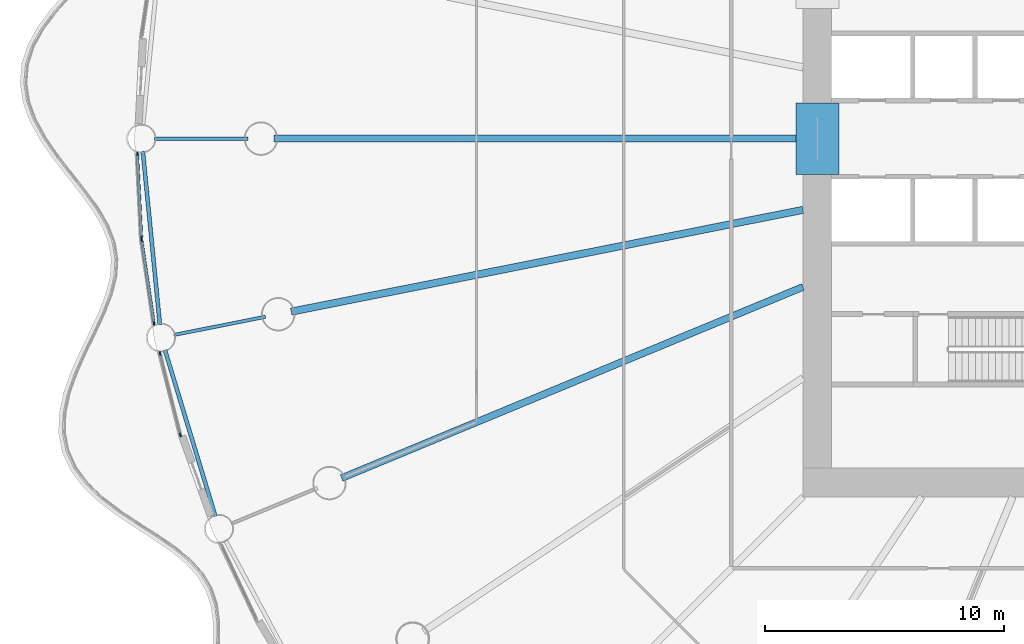
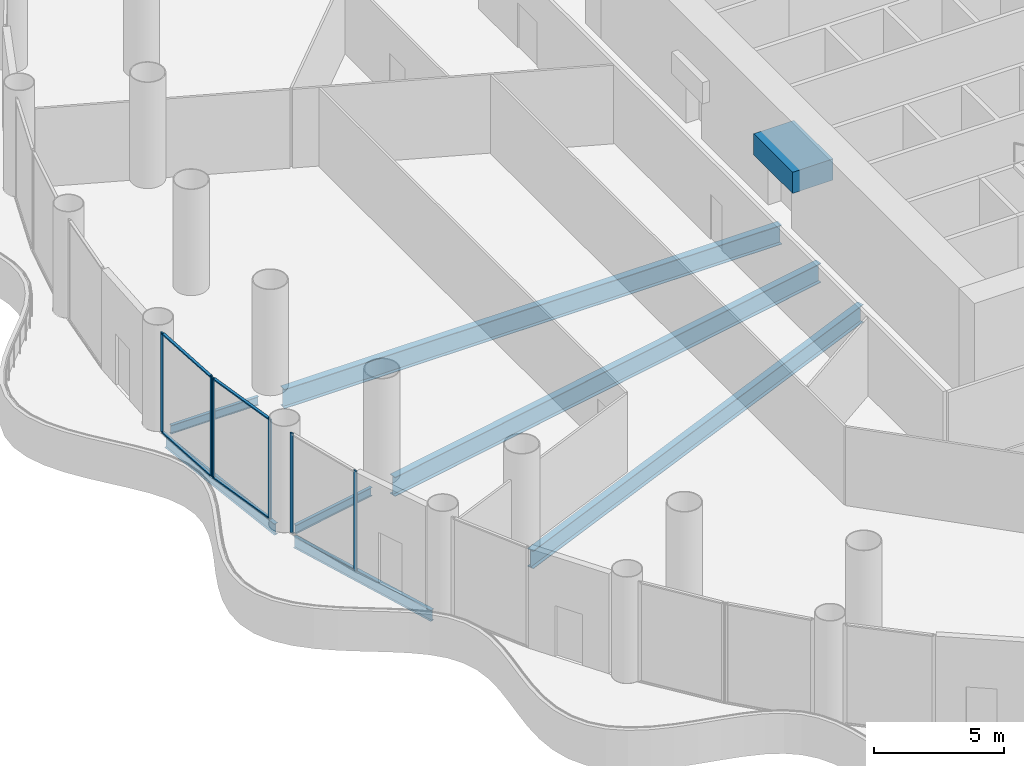
# One storey, part 7 of 35: 10 members, 8 beams, 3 elements without a shape of their own.
"""IFC4 building model written with IfcOpenShell, lengths in metres."""

from ifc_helpers import new_model, si_unit, direction, frame, origin, origin_2d, place, context, subcontext, project, spatial, rectangle, i_section, extrude, material, material_profile, profile_set, type_object, element, aggregate, save


model = new_model("IFC4")

# Units and contexts
model_context = context("Model", 3, precision=1e-05, world=origin(), true_north=direction((0.0, 1.0)))
body_context = subcontext(model_context, "Body", "Model", "MODEL_VIEW")
ifc_project = project(units=[si_unit("LENGTHUNIT", "METRE"), si_unit("AREAUNIT", "SQUARE_METRE"), si_unit("VOLUMEUNIT", "CUBIC_METRE"), si_unit("PLANEANGLEUNIT", "RADIAN"), si_unit("MASSUNIT", "GRAM", prefix="KILO")], contexts=[model_context])

# Site, building, storey
site_placement = place(None, origin())
site = spatial("IfcSite", under=ifc_project, at=site_placement, CompositionType="ELEMENT")
building_placement = place(site_placement, origin())
building = spatial("IfcBuilding", under=site, at=building_placement, Name="Corvane Civic Tower", CompositionType="ELEMENT")
storey_placement = place(building_placement, frame((0.0, 0.0, 27.0)))
storey = spatial("IfcBuildingStorey", under=building, at=storey_placement, Name="L05", CompositionType="ELEMENT", Elevation=27.0)

# Beams
ifc_material_1 = material(Name="Concrete C80/95", Category="concrete")
ifc_material_profile_1 = material_profile(ifc_material_1, rectangle(XDim=1.800048828125, YDim=1.0, at=origin_2d()), Name="COUPLING BEAM 1800X1000")
ifc_profile_set_1 = profile_set([ifc_material_profile_1], Name="Concrete C80/95")
beam_type_1 = type_object("IfcBeamType", Name="COUPLING BEAM COUPLING BEAM 1800X1000", PredefinedType="BEAM", material=ifc_profile_set_1)
beam_1_placement = place(storey_placement, frame((-14.39990234375, -1.5, 2.60009765625), z_axis=(0.0, 1.0, 0.0), x_axis=(-1.0, 0.0, 0.0)))
element("IfcBeam", 1, at=beam_1_placement, inside=storey, type_object=beam_type_1, Name="BM-L05-cpl-CW-LW", PredefinedType="BEAM", context=body_context, shape_type="SweptSolid", body=[
    extrude(rectangle(XDim=1.800048828125, YDim=1.0, at=origin_2d()), origin(), (0.0, 0.0, 1.0), 3.0),
])
ifc_material_2 = material(Name="Steel ASTM A992 Gr 50", Category="steel")
ifc_material_profile_2 = material_profile(ifc_material_2, i_section(OverallWidth=0.165771484375, OverallDepth=0.5283203125, WebThickness=0.009765625, FlangeThickness=0.013671875, at=origin_2d()), Name="W21X50")
ifc_profile_set_2 = profile_set([ifc_material_profile_2], Name="Steel ASTM A992 Gr 50")
beam_type_2 = type_object("IfcBeamType", Name="EDGE BEAM W21X50", PredefinedType="BEAM", material=ifc_profile_set_2)
for number, where, z_axis, x_axis, name in (
    (2, (-39.609375, -15.814208984375, -0.564208984375), (-0.290291633127, 0.956938225664, 0.0), (-0.956938225664, -0.290291633127, 0.0), "BM-L05-E23"),
    (3, (-41.93359375, -7.782958984375, -0.564208984375), (-0.097984225478, 0.995187967953, 0.0), (-0.995187967953, -0.097984225478, 0.0), "BM-L05-E24"),
):
    element("IfcBeam", number, at=place(storey_placement, frame(where, z_axis=z_axis, x_axis=x_axis)), inside=storey, type_object=beam_type_2, Name=name, PredefinedType="BEAM", context=body_context, shape_type="SweptSolid", body=[
        extrude(i_section(OverallWidth=0.165771484375, OverallDepth=0.5283203125, WebThickness=0.009765625, FlangeThickness=0.013671875, at=origin_2d()), origin(), (0.0, 0.0, 1.0), 7.2705078125),
    ])
ifc_material_3 = material(Name="Steel ASTM A992 Gr 50", Category="steel")
ifc_material_profile_3 = material_profile(ifc_material_3, i_section(OverallWidth=0.140380859375, OverallDepth=0.40380859375, WebThickness=0.007080078125, FlangeThickness=0.01123046875, at=origin_2d()), Name="W16X31")
ifc_profile_set_3 = profile_set([ifc_material_profile_3], Name="Steel ASTM A992 Gr 50")
beam_type_3 = type_object("IfcBeamType", Name="FLOOR GIRDER W16X31", PredefinedType="BEAM", material=ifc_profile_set_3)
for number, where, z_axis, x_axis, name in (
    (4, (-37.51513671875, -7.462158203125, -0.501953125), (-0.980777614264, -0.195128858343, 0.0), (0.195128858343, -0.980777614264, 0.0), "BM-L05-G24b"),
    (5, (-38.25, 0.0, -0.501953125), (-1.0, 0.0, 0.0), (0.0, -1.0, 0.0), "BM-L05-G25b"),
):
    element("IfcBeam", number, at=place(storey_placement, frame(where, z_axis=z_axis, x_axis=x_axis)), inside=storey, type_object=beam_type_3, Name=name, PredefinedType="BEAM", context=body_context, shape_type="SweptSolid", body=[
        extrude(i_section(OverallWidth=0.140380859375, OverallDepth=0.40380859375, WebThickness=0.007080078125, FlangeThickness=0.01123046875, at=origin_2d()), origin(), (0.0, 0.0, 1.0), 3.89990234375),
    ])
ifc_material_4 = material(Name="Steel ASTM A992 Gr 50", Category="steel")
ifc_material_profile_4 = material_profile(ifc_material_4, i_section(OverallWidth=0.2919921875, OverallDepth=0.845703125, WebThickness=0.015380859375, FlangeThickness=0.0244140625, at=origin_2d()), Name="W33X141")
ifc_profile_set_4 = profile_set([ifc_material_profile_4], Name="Steel ASTM A992 Gr 50")
beam_type_4 = type_object("IfcBeamType", Name="FLOOR GIRDER W33X141", PredefinedType="BEAM", material=ifc_profile_set_4)
beam_2_placement = place(storey_placement, frame((-15.0, -6.213134765625, -0.722900390625), z_axis=(-0.923875834355, -0.382692360381, 0.0), x_axis=(0.382692360381, -0.923875834355, 0.0)))
element("IfcBeam", 6, at=beam_2_placement, inside=storey, type_object=beam_type_4, Name="BM-L05-G23", PredefinedType="BEAM", context=body_context, shape_type="SweptSolid", body=[
    extrude(i_section(OverallWidth=0.2919921875, OverallDepth=0.845703125, WebThickness=0.015380859375, FlangeThickness=0.0244140625, at=origin_2d()), origin(), (0.0, 0.0, 1.0), 20.9140625),
])
ifc_material_5 = material(Name="Steel ASTM A992 Gr 50", Category="steel")
ifc_material_profile_5 = material_profile(ifc_material_5, i_section(OverallWidth=0.3046875, OverallDepth=0.911865234375, WebThickness=0.015869140625, FlangeThickness=0.02392578125, at=origin_2d()), Name="W36X150")
ifc_profile_set_5 = profile_set([ifc_material_profile_5], Name="Steel ASTM A992 Gr 50")
beam_type_5 = type_object("IfcBeamType", Name="FLOOR GIRDER W36X150", PredefinedType="BEAM", material=ifc_profile_set_5)
beam_3_placement = place(storey_placement, frame((-15.0, -2.983642578125, -0.755859375), z_axis=(-0.980785499679, -0.195089219638, 0.0), x_axis=(0.195089219638, -0.980785499679, 0.0)))
element("IfcBeam", 7, at=beam_3_placement, inside=storey, type_object=beam_type_5, Name="BM-L05-G24", PredefinedType="BEAM", context=body_context, shape_type="SweptSolid", body=[
    extrude(i_section(OverallWidth=0.3046875, OverallDepth=0.911865234375, WebThickness=0.015869140625, FlangeThickness=0.02392578125, at=origin_2d()), origin(), (0.0, 0.0, 1.0), 21.856201171875),
])
beam_4_placement = place(storey_placement, frame((-15.0, 0.0, -0.755859375), z_axis=(-1.0, 0.0, 0.0), x_axis=(0.0, -1.0, 0.0)))
element("IfcBeam", 8, at=beam_4_placement, inside=storey, type_object=beam_type_5, Name="BM-L05-G25", PredefinedType="BEAM", context=body_context, shape_type="SweptSolid", body=[
    extrude(i_section(OverallWidth=0.3046875, OverallDepth=0.911865234375, WebThickness=0.015869140625, FlangeThickness=0.02392578125, at=origin_2d()), origin(), (0.0, 0.0, 1.0), 22.14990234375),
])

# Curtain wall, members
ifc_material_6 = material(Name="Aluminium and glass", Category="aluminium")
curtain_wall_type = type_object("IfcCurtainWallType", Name="PODIUM-CW-P-RUN", PredefinedType="NOTDEFINED", material=ifc_material_6)
curtain_wall_1_placement = place(storey_placement, origin())
curtain_wall_1 = element("IfcCurtainWall", 9, at=curtain_wall_1_placement, inside=storey, type_object=curtain_wall_type, Name="PODI run L05-drum-23B", PredefinedType="NOTDEFINED")
ifc_material_7 = material(Name="Anodised aluminium bronze", Category="aluminium")
ifc_material_profile_6 = material_profile(ifc_material_7, rectangle(XDim=0.06005859375, YDim=0.159912109375, at=origin_2d()), Name="AL 60x160")
ifc_profile_set_6 = profile_set([ifc_material_profile_6], Name="Anodised aluminium bronze")
member_type_1 = type_object("IfcMemberType", Name="PODIUM-CWP-MULLION-60x160", PredefinedType="MULLION", material=ifc_profile_set_6)
member_1_placement = place(storey_placement, frame((-41.0732421875, -12.411865234375, 0.0), z_axis=(0.0, 0.0, 1.0), x_axis=(-0.970024070659, -0.243008852393, 0.0)))
member_1 = element("IfcMember", 10, at=member_1_placement, type_object=member_type_1, Name="CW-P mullion 1", PredefinedType="MULLION", context=body_context, shape_type="SweptSolid", body=[
    extrude(rectangle(XDim=0.06005859375, YDim=0.159912109375, at=origin_2d()), origin(), (0.0, 0.0, 1.0), 4.699951171875),
])
member_2_placement = place(storey_placement, frame((-41.9287109375, -8.99755859375, 0.0), z_axis=(0.0, 0.0, 1.0), x_axis=(-0.970024070659, -0.243008852393, 0.0)))
member_2 = element("IfcMember", 11, at=member_2_placement, type_object=member_type_1, Name="CW-P mullion 2", PredefinedType="MULLION", context=body_context, shape_type="SweptSolid", body=[
    extrude(rectangle(XDim=0.06005859375, YDim=0.159912109375, at=origin_2d()), origin(), (0.0, 0.0, 1.0), 4.699951171875),
])
aggregate(curtain_wall_1, [member_1, member_2])

curtain_wall_2_placement = place(storey_placement, origin())
curtain_wall_2 = element("IfcCurtainWall", 12, at=curtain_wall_2_placement, inside=storey, type_object=curtain_wall_type, Name="PODI run L05-drum-24A", PredefinedType="NOTDEFINED")
member_3_placement = place(storey_placement, frame((-42.18017578125, -7.732666015625, 0.0), z_axis=(0.0, 0.0, 1.0), x_axis=(-0.989178850608, -0.146714694252, 0.0)))
member_3 = element("IfcMember", 13, at=member_3_placement, type_object=member_type_1, Name="CW-P mullion 1", PredefinedType="MULLION", context=body_context, shape_type="SweptSolid", body=[
    extrude(rectangle(XDim=0.06005859375, YDim=0.159912109375, at=origin_2d()), origin(), (0.0, 0.0, 1.0), 4.699951171875),
])
member_4_placement = place(storey_placement, frame((-42.696533203125, -4.2509765625, 0.0), z_axis=(0.0, 0.0, 1.0), x_axis=(-0.989178850608, -0.146714694252, 0.0)))
member_4 = element("IfcMember", 14, at=member_4_placement, type_object=member_type_1, Name="CW-P mullion 2", PredefinedType="MULLION", context=body_context, shape_type="SweptSolid", body=[
    extrude(rectangle(XDim=0.06005859375, YDim=0.159912109375, at=origin_2d()), origin(), (0.0, 0.0, 1.0), 4.699951171875),
])

curtain_wall_3_placement = place(storey_placement, origin())
curtain_wall_3 = element("IfcCurtainWall", 15, at=curtain_wall_3_placement, inside=storey, type_object=curtain_wall_type, Name="PODI run L05-drum-24B", PredefinedType="NOTDEFINED")
member_5_placement = place(storey_placement, frame((-42.70556640625, -4.16064453125, 0.0), z_axis=(0.0, 0.0, 1.0), x_axis=(-0.998796316803, -0.04905015332, 0.0)))
member_5 = element("IfcMember", 16, at=member_5_placement, type_object=member_type_1, Name="CW-P mullion 1", PredefinedType="MULLION", context=body_context, shape_type="SweptSolid", body=[
    extrude(rectangle(XDim=0.06005859375, YDim=0.159912109375, at=origin_2d()), origin(), (0.0, 0.0, 1.0), 4.699951171875),
])
member_6_placement = place(storey_placement, frame((-42.878173828125, -0.644775390625, 0.0), z_axis=(0.0, 0.0, 1.0), x_axis=(-0.998796316803, -0.04905015332, 0.0)))
member_6 = element("IfcMember", 17, at=member_6_placement, type_object=member_type_1, Name="CW-P mullion 2", PredefinedType="MULLION", context=body_context, shape_type="SweptSolid", body=[
    extrude(rectangle(XDim=0.06005859375, YDim=0.159912109375, at=origin_2d()), origin(), (0.0, 0.0, 1.0), 4.699951171875),
])

# Member
ifc_material_8 = material(Name="Anodised aluminium bronze", Category="aluminium")
ifc_material_profile_7 = material_profile(ifc_material_8, rectangle(XDim=0.1201171875, YDim=0.06005859375, at=origin_2d()), Name="AL 120x60")
ifc_profile_set_7 = profile_set([ifc_material_profile_7], Name="Anodised aluminium bronze")
member_type_2 = type_object("IfcMemberType", Name="PODIUM-CWP-TRANSOM-60x120", PredefinedType="USERDEFINED", material=ifc_profile_set_7)
member_7_placement = place(storey_placement, frame((-42.1845703125, -7.703125, 0.030029296875), z_axis=(-0.146704660039, 0.989180338828, 0.0), x_axis=(-0.989180338828, -0.146704660039, 0.0)))
member_7 = element("IfcMember", 18, at=member_7_placement, type_object=member_type_2, Name="CW-P transom 1.1", ObjectType="TRANSOM", PredefinedType="USERDEFINED", context=body_context, shape_type="SweptSolid", body=[
    extrude(rectangle(XDim=0.1201171875, YDim=0.06005859375, at=origin_2d()), origin(), (0.0, 0.0, 1.0), 3.459716796875),
])

member_8_placement = place(storey_placement, frame((-42.1845703125, -7.703125, 4.669921875), z_axis=(-0.146704660039, 0.989180338828, 0.0), x_axis=(-0.989180338828, -0.146704660039, 0.0)))
member_8 = element("IfcMember", 19, at=member_8_placement, type_object=member_type_2, Name="CW-P transom 1.2", ObjectType="TRANSOM", PredefinedType="USERDEFINED", context=body_context, shape_type="SweptSolid", body=[
    extrude(rectangle(XDim=0.1201171875, YDim=0.06005859375, at=origin_2d()), origin(), (0.0, 0.0, 1.0), 3.459716796875),
])

aggregate(curtain_wall_2, [member_3, member_4, member_7, member_8])

member_9_placement = place(storey_placement, frame((-42.70703125, -4.130615234375, 0.030029296875), z_axis=(-0.049040182301, 0.998796806423, 0.0), x_axis=(-0.998796806423, -0.049040182301, 0.0)))
member_9 = element("IfcMember", 20, at=member_9_placement, type_object=member_type_2, Name="CW-P transom 1.1", ObjectType="TRANSOM", PredefinedType="USERDEFINED", context=body_context, shape_type="SweptSolid", body=[
    extrude(rectangle(XDim=0.1201171875, YDim=0.06005859375, at=origin_2d()), origin(), (0.0, 0.0, 1.0), 3.4599609375),
])

member_10_placement = place(storey_placement, frame((-42.70703125, -4.130615234375, 4.669921875), z_axis=(-0.049040182301, 0.998796806423, 0.0), x_axis=(-0.998796806423, -0.049040182301, 0.0)))
member_10 = element("IfcMember", 21, at=member_10_placement, type_object=member_type_2, Name="CW-P transom 1.2", ObjectType="TRANSOM", PredefinedType="USERDEFINED", context=body_context, shape_type="SweptSolid", body=[
    extrude(rectangle(XDim=0.1201171875, YDim=0.06005859375, at=origin_2d()), origin(), (0.0, 0.0, 1.0), 3.4599609375),
])

aggregate(curtain_wall_3, [member_5, member_6, member_9, member_10])

save(model, "model.ifc")
